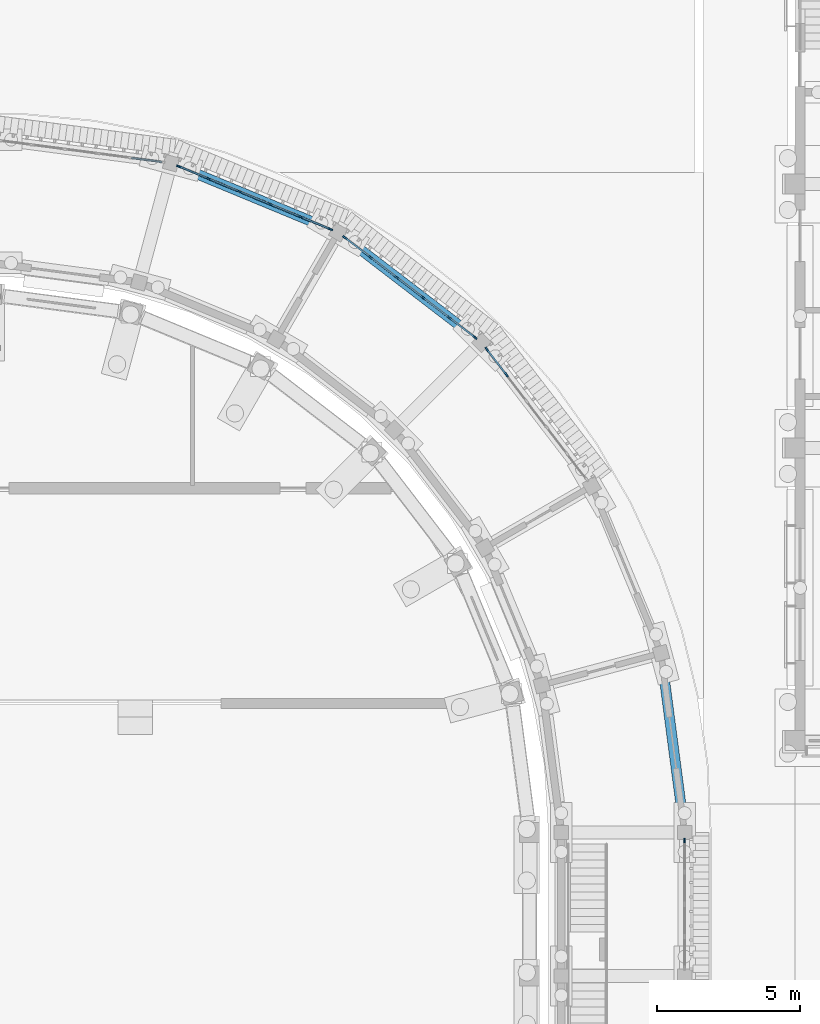
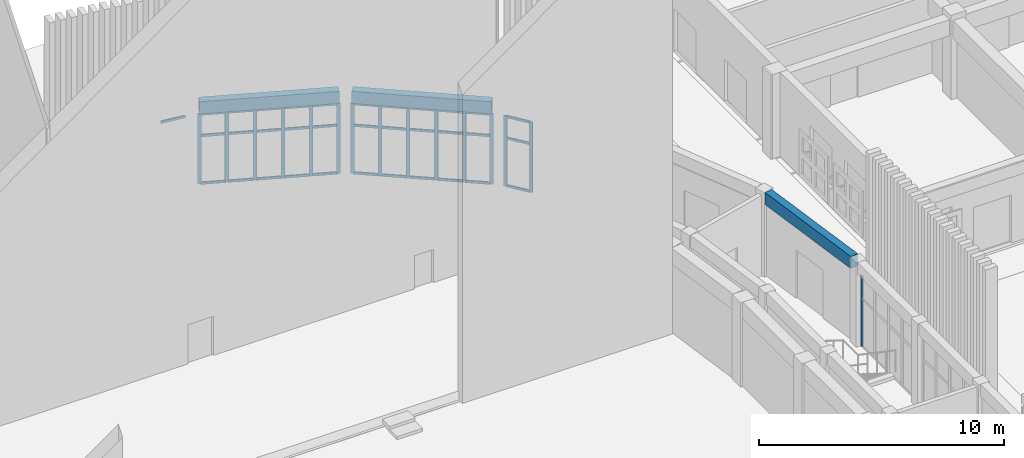
# One storey, part 34 of 112: 49 members, 3 beams, 5 elements without a shape of their own.
"""IFC4 building model written with IfcOpenShell, lengths in metres."""

from ifc_helpers import new_model, si_unit, direction, frame, origin, origin_2d, place, context, subcontext, project, spatial, rectangle, extrude, material, layer, layer_set, material_profile, profile_set, type_object, element, aggregate, save


model = new_model("IFC4")

# Units and contexts
model_context = context("Model", 3, precision=1e-05, world=origin(), true_north=direction((0.0, 1.0)))
body_context = subcontext(model_context, "Body", "Model", "MODEL_VIEW")
ifc_project = project(units=[si_unit("LENGTHUNIT", "METRE"), si_unit("AREAUNIT", "SQUARE_METRE"), si_unit("VOLUMEUNIT", "CUBIC_METRE"), si_unit("PLANEANGLEUNIT", "RADIAN"), si_unit("MASSUNIT", "GRAM", prefix="KILO")], contexts=[model_context])

# Site, building, storey
site_placement = place(None, origin())
site = spatial("IfcSite", under=ifc_project, at=site_placement, CompositionType="ELEMENT")
building_placement = place(site_placement, origin())
building = spatial("IfcBuilding", under=site, at=building_placement, Name="Wasatch Bagh Community Centre", CompositionType="ELEMENT")
storey_placement = place(building_placement, origin())
storey = spatial("IfcBuildingStorey", under=building, at=storey_placement, Name="L00", CompositionType="ELEMENT", Elevation=0.0)

# Curtain wall, members
ifc_material_1 = material(Name="Aluminium curtain wall frame with low-iron insulated glass", Category="aluminium")
ifc_layer_1 = layer(ifc_material_1, 0.14990234375)
ifc_layer_set_1 = layer_set([ifc_layer_1], Name="Aluminium curtain wall frame with low-iron insulated glass")
curtain_wall_type_1 = type_object("IfcCurtainWallType", Name="Drum curtain wall DR-CW1", PredefinedType="NOTDEFINED", material=ifc_layer_set_1)
curtain_wall_1_placement = place(storey_placement, origin())
curtain_wall_1 = element("IfcCurtainWall", 1, at=curtain_wall_1_placement, inside=storey, type_object=curtain_wall_type_1, Name="Curtain wall DR-CW1 21", PredefinedType="NOTDEFINED")
ifc_material_2 = material(Name="Aluminium curtain wall frame", Category="aluminium")
ifc_material_profile_1 = material_profile(ifc_material_2, rectangle(XDim=0.06005859375, YDim=0.159912109375, at=origin_2d()), Name="Drum mullion DR-CW1")
ifc_profile_set_1 = profile_set([ifc_material_profile_1], Name="Aluminium curtain wall frame")
member_type_1 = type_object("IfcMemberType", Name="Drum mullion DR-CW1", PredefinedType="MULLION", material=ifc_profile_set_1)
member_1_placement = place(storey_placement, frame((53.940185546875, 80.951416015625, 0.0), z_axis=(0.0, 0.0, 1.0), x_axis=(-0.793353340196, -0.608761429133, 0.0)))
member_1 = element("IfcMember", 2, at=member_1_placement, type_object=member_type_1, Name="DR-CW1 mullion 5", PredefinedType="MULLION", context=body_context, shape_type="SweptSolid", body=[
    extrude(rectangle(XDim=0.06005859375, YDim=0.159912109375, at=origin_2d()), origin(), (0.0, 0.0, 1.0), 3.5),
])
member_2_placement = place(storey_placement, frame((53.254638671875, 81.844482421875, 0.0), z_axis=(0.0, 0.0, 1.0), x_axis=(-0.793353340196, -0.608761429133, 0.0)))
member_2 = element("IfcMember", 3, at=member_2_placement, type_object=member_type_1, Name="DR-CW1 mullion 6", PredefinedType="MULLION", context=body_context, shape_type="SweptSolid", body=[
    extrude(rectangle(XDim=0.06005859375, YDim=0.159912109375, at=origin_2d()), origin(), (0.0, 0.0, 1.0), 3.5),
])

curtain_wall_2_placement = place(storey_placement, origin())
curtain_wall_2 = element("IfcCurtainWall", 4, at=curtain_wall_2_placement, inside=storey, type_object=curtain_wall_type_1, Name="Curtain wall DR-CW1 22", PredefinedType="NOTDEFINED")
member_3_placement = place(storey_placement, frame((52.844482421875, 82.254638671875, 0.0), z_axis=(0.0, 0.0, 1.0), x_axis=(-0.608761429133, -0.793353340196, 0.0)))
member_3 = element("IfcMember", 5, at=member_3_placement, type_object=member_type_1, Name="DR-CW1 mullion 1", PredefinedType="MULLION", context=body_context, shape_type="SweptSolid", body=[
    extrude(rectangle(XDim=0.06005859375, YDim=0.159912109375, at=origin_2d()), origin(), (0.0, 0.0, 1.0), 3.5),
])
member_4_placement = place(storey_placement, frame((51.951416015625, 82.940185546875, 0.0), z_axis=(0.0, 0.0, 1.0), x_axis=(-0.608761429133, -0.793353340196, 0.0)))
member_4 = element("IfcMember", 6, at=member_4_placement, type_object=member_type_1, Name="DR-CW1 mullion 2", PredefinedType="MULLION", context=body_context, shape_type="SweptSolid", body=[
    extrude(rectangle(XDim=0.06005859375, YDim=0.159912109375, at=origin_2d()), origin(), (0.0, 0.0, 1.0), 3.5),
])
member_5_placement = place(storey_placement, frame((51.034423828125, 83.643798828125, 0.0), z_axis=(0.0, 0.0, 1.0), x_axis=(-0.608761429133, -0.793353340196, 0.0)))
member_5 = element("IfcMember", 7, at=member_5_placement, type_object=member_type_1, Name="DR-CW1 mullion 3", PredefinedType="MULLION", context=body_context, shape_type="SweptSolid", body=[
    extrude(rectangle(XDim=0.06005859375, YDim=0.159912109375, at=origin_2d()), origin(), (0.0, 0.0, 1.0), 3.5),
])
member_6_placement = place(storey_placement, frame((50.1171875, 84.347412109375, 0.0), z_axis=(0.0, 0.0, 1.0), x_axis=(-0.608761429133, -0.793353340196, 0.0)))
member_6 = element("IfcMember", 8, at=member_6_placement, type_object=member_type_1, Name="DR-CW1 mullion 4", PredefinedType="MULLION", context=body_context, shape_type="SweptSolid", body=[
    extrude(rectangle(XDim=0.06005859375, YDim=0.159912109375, at=origin_2d()), origin(), (0.0, 0.0, 1.0), 3.5),
])
member_7_placement = place(storey_placement, frame((49.2001953125, 85.051025390625, 0.0), z_axis=(0.0, 0.0, 1.0), x_axis=(-0.608761429133, -0.793353340196, 0.0)))
member_7 = element("IfcMember", 9, at=member_7_placement, type_object=member_type_1, Name="DR-CW1 mullion 5", PredefinedType="MULLION", context=body_context, shape_type="SweptSolid", body=[
    extrude(rectangle(XDim=0.06005859375, YDim=0.159912109375, at=origin_2d()), origin(), (0.0, 0.0, 1.0), 3.5),
])
member_8_placement = place(storey_placement, frame((48.30712890625, 85.736328125, 0.0), z_axis=(0.0, 0.0, 1.0), x_axis=(-0.608761429133, -0.793353340196, 0.0)))
member_8 = element("IfcMember", 10, at=member_8_placement, type_object=member_type_1, Name="DR-CW1 mullion 6", PredefinedType="MULLION", context=body_context, shape_type="SweptSolid", body=[
    extrude(rectangle(XDim=0.06005859375, YDim=0.159912109375, at=origin_2d()), origin(), (0.0, 0.0, 1.0), 3.5),
])

curtain_wall_3_placement = place(storey_placement, origin())
curtain_wall_3 = element("IfcCurtainWall", 11, at=curtain_wall_3_placement, inside=storey, type_object=curtain_wall_type_1, Name="Curtain wall DR-CW1 23", PredefinedType="NOTDEFINED")
member_9_placement = place(storey_placement, frame((47.8046875, 86.0263671875, 0.0), z_axis=(0.0, 0.0, 1.0), x_axis=(-0.38268343251, -0.923879532451, 0.0)))
member_9 = element("IfcMember", 12, at=member_9_placement, type_object=member_type_1, Name="DR-CW1 mullion 1", PredefinedType="MULLION", context=body_context, shape_type="SweptSolid", body=[
    extrude(rectangle(XDim=0.06005859375, YDim=0.159912109375, at=origin_2d()), origin(), (0.0, 0.0, 1.0), 3.5),
])
member_10_placement = place(storey_placement, frame((46.7646484375, 86.457275390625, 0.0), z_axis=(0.0, 0.0, 1.0), x_axis=(-0.38268343251, -0.923879532451, 0.0)))
member_10 = element("IfcMember", 13, at=member_10_placement, type_object=member_type_1, Name="DR-CW1 mullion 2", PredefinedType="MULLION", context=body_context, shape_type="SweptSolid", body=[
    extrude(rectangle(XDim=0.06005859375, YDim=0.159912109375, at=origin_2d()), origin(), (0.0, 0.0, 1.0), 3.5),
])
member_11_placement = place(storey_placement, frame((45.69677734375, 86.899658203125, 0.0), z_axis=(0.0, 0.0, 1.0), x_axis=(-0.38268343251, -0.923879532451, 0.0)))
member_11 = element("IfcMember", 14, at=member_11_placement, type_object=member_type_1, Name="DR-CW1 mullion 3", PredefinedType="MULLION", context=body_context, shape_type="SweptSolid", body=[
    extrude(rectangle(XDim=0.06005859375, YDim=0.159912109375, at=origin_2d()), origin(), (0.0, 0.0, 1.0), 3.5),
])
member_12_placement = place(storey_placement, frame((44.62890625, 87.342041015625, 0.0), z_axis=(0.0, 0.0, 1.0), x_axis=(-0.38268343251, -0.923879532451, 0.0)))
member_12 = element("IfcMember", 15, at=member_12_placement, type_object=member_type_1, Name="DR-CW1 mullion 4", PredefinedType="MULLION", context=body_context, shape_type="SweptSolid", body=[
    extrude(rectangle(XDim=0.06005859375, YDim=0.159912109375, at=origin_2d()), origin(), (0.0, 0.0, 1.0), 3.5),
])
member_13_placement = place(storey_placement, frame((43.560791015625, 87.784423828125, 0.0), z_axis=(0.0, 0.0, 1.0), x_axis=(-0.38268343251, -0.923879532451, 0.0)))
member_13 = element("IfcMember", 16, at=member_13_placement, type_object=member_type_1, Name="DR-CW1 mullion 5", PredefinedType="MULLION", context=body_context, shape_type="SweptSolid", body=[
    extrude(rectangle(XDim=0.06005859375, YDim=0.159912109375, at=origin_2d()), origin(), (0.0, 0.0, 1.0), 3.5),
])
member_14_placement = place(storey_placement, frame((42.520751953125, 88.215087890625, 0.0), z_axis=(0.0, 0.0, 1.0), x_axis=(-0.38268343251, -0.923879532451, 0.0)))
member_14 = element("IfcMember", 17, at=member_14_placement, type_object=member_type_1, Name="DR-CW1 mullion 6", PredefinedType="MULLION", context=body_context, shape_type="SweptSolid", body=[
    extrude(rectangle(XDim=0.06005859375, YDim=0.159912109375, at=origin_2d()), origin(), (0.0, 0.0, 1.0), 3.5),
])

# Curtain wall, member
ifc_layer_2 = layer(ifc_material_1, 0.14990234375)
ifc_layer_set_2 = layer_set([ifc_layer_2], Name="Aluminium curtain wall frame with low-iron insulated glass")
curtain_wall_type_2 = type_object("IfcCurtainWallType", Name="Drum curtain wall DR-CW3", PredefinedType="NOTDEFINED", material=ifc_layer_set_2)
curtain_wall_4_placement = place(storey_placement, origin())
curtain_wall_4 = element("IfcCurtainWall", 18, at=curtain_wall_4_placement, inside=storey, type_object=curtain_wall_type_2, Name="Curtain wall DR-CW3 18", PredefinedType="NOTDEFINED")
ifc_material_profile_2 = material_profile(ifc_material_2, rectangle(XDim=0.06005859375, YDim=0.159912109375, at=origin_2d()), Name="Drum mullion DR-CW3")
ifc_profile_set_2 = profile_set([ifc_material_profile_2], Name="Aluminium curtain wall frame")
member_type_2 = type_object("IfcMemberType", Name="Drum mullion DR-CW3", PredefinedType="MULLION", material=ifc_profile_set_2)
member_15_placement = place(storey_placement, frame((60.14990234375, 64.719482421875, 0.0), z_axis=(0.0, 0.0, 1.0), x_axis=(-1.0, 0.0, 0.0)))
member_15 = element("IfcMember", 19, at=member_15_placement, type_object=member_type_2, Name="DR-CW3 mullion 5", PredefinedType="MULLION", context=body_context, shape_type="SweptSolid", body=[
    extrude(rectangle(XDim=0.06005859375, YDim=0.159912109375, at=origin_2d()), origin(), (0.0, 0.0, 1.0), 3.5),
])
aggregate(curtain_wall_4, [member_15])

# Beams
ifc_material_3 = material(Name="Concrete C35", Category="concrete")
ifc_material_profile_3 = material_profile(ifc_material_3, rectangle(XDim=0.35009765625, YDim=0.60009765625, at=origin_2d()), Name="RC 350x600")
ifc_profile_set_3 = profile_set([ifc_material_profile_3], Name="Concrete C35")
beam_type = type_object("IfcBeamType", Name="Drum ring beam RC 350x600", PredefinedType="BEAM", material=ifc_profile_set_3)
for number, where, z_axis, x_axis, name in (
    (20, (60.114013671875, 65.2734375, 3.89990234375), (-0.130540139759, 0.991443025046, 0.0), (-0.991443025046, -0.130540139759, 0.0), "Ring beam 4.2 DO-E7-DO-N1"),
    (21, (52.85791015625, 82.244384765625, 3.89990234375), (-0.793356989288, 0.608756673514, 0.0), (-0.608756673514, -0.793356989288, 0.0), "Ring beam 4.2 DO-N3-DO-N4"),
):
    element("IfcBeam", number, at=place(storey_placement, frame(where, z_axis=z_axis, x_axis=x_axis)), inside=storey, type_object=beam_type, Name=name, PredefinedType="BEAM", context=body_context, shape_type="SweptSolid", body=[
        extrude(rectangle(XDim=0.35009765625, YDim=0.60009765625, at=origin_2d()), origin(), (0.0, 0.0, 1.0), 5.7529296875),
    ])
beam_placement = place(storey_placement, frame((47.8203125, 86.02001953125, 3.89990234375), z_axis=(-0.923877183952, 0.38268910224, 0.0), x_axis=(-0.38268910224, -0.923877183952, 0.0)))
element("IfcBeam", 22, at=beam_placement, inside=storey, type_object=beam_type, Name="Ring beam 4.2 DO-N4-DO-N5", PredefinedType="BEAM", context=body_context, shape_type="SweptSolid", body=[
    extrude(rectangle(XDim=0.35009765625, YDim=0.60009765625, at=origin_2d()), origin(), (0.0, 0.0, 1.0), 5.753173828125),
])

# Member
ifc_material_profile_4 = material_profile(ifc_material_2, rectangle(XDim=0.06005859375, YDim=0.1201171875, at=origin_2d()), Name="Drum transom DR-CW1")
ifc_profile_set_4 = profile_set([ifc_material_profile_4], Name="Aluminium curtain wall frame")
member_type_3 = type_object("IfcMemberType", Name="Drum transom DR-CW1", PredefinedType="USERDEFINED", material=ifc_profile_set_4)
member_16_placement = place(storey_placement, frame((53.921875, 80.97509765625, 0.030029296875), z_axis=(-0.608758447006, 0.793355628453, 0.0), x_axis=(-0.793355628453, -0.608758447006, 0.0)))
member_16 = element("IfcMember", 23, at=member_16_placement, type_object=member_type_3, Name="DR-CW1 transom 5.1", ObjectType="TRANSOM", PredefinedType="USERDEFINED", context=body_context, shape_type="SweptSolid", body=[
    extrude(rectangle(XDim=0.06005859375, YDim=0.1201171875, at=origin_2d()), origin(), (0.0, 0.0, 1.0), 1.06591796875),
])

member_17_placement = place(storey_placement, frame((53.921875, 80.97509765625, 2.39990234375), z_axis=(-0.608758447006, 0.793355628453, 0.0), x_axis=(-0.793355628453, -0.608758447006, 0.0)))
member_17 = element("IfcMember", 24, at=member_17_placement, type_object=member_type_3, Name="DR-CW1 transom 5.2", ObjectType="TRANSOM", PredefinedType="USERDEFINED", context=body_context, shape_type="SweptSolid", body=[
    extrude(rectangle(XDim=0.06005859375, YDim=0.1201171875, at=origin_2d()), origin(), (0.0, 0.0, 1.0), 1.06591796875),
])

member_18_placement = place(storey_placement, frame((53.921875, 80.97509765625, 3.469970703125), z_axis=(-0.608758447006, 0.793355628453, 0.0), x_axis=(-0.793355628453, -0.608758447006, 0.0)))
member_18 = element("IfcMember", 25, at=member_18_placement, type_object=member_type_3, Name="DR-CW1 transom 5.3", ObjectType="TRANSOM", PredefinedType="USERDEFINED", context=body_context, shape_type="SweptSolid", body=[
    extrude(rectangle(XDim=0.06005859375, YDim=0.1201171875, at=origin_2d()), origin(), (0.0, 0.0, 1.0), 1.06591796875),
])

aggregate(curtain_wall_1, [member_1, member_2, member_16, member_17, member_18])

member_19_placement = place(storey_placement, frame((52.82080078125, 82.27294921875, 0.030029296875), z_axis=(-0.793355628453, 0.608758447006, 0.0), x_axis=(-0.608758447006, -0.793355628453, 0.0)))
member_19 = element("IfcMember", 26, at=member_19_placement, type_object=member_type_3, Name="DR-CW1 transom 1.1", ObjectType="TRANSOM", PredefinedType="USERDEFINED", context=body_context, shape_type="SweptSolid", body=[
    extrude(rectangle(XDim=0.06005859375, YDim=0.1201171875, at=origin_2d()), origin(), (0.0, 0.0, 1.0), 1.06591796875),
])

member_20_placement = place(storey_placement, frame((52.82080078125, 82.27294921875, 2.39990234375), z_axis=(-0.793355628453, 0.608758447006, 0.0), x_axis=(-0.608758447006, -0.793355628453, 0.0)))
member_20 = element("IfcMember", 27, at=member_20_placement, type_object=member_type_3, Name="DR-CW1 transom 1.2", ObjectType="TRANSOM", PredefinedType="USERDEFINED", context=body_context, shape_type="SweptSolid", body=[
    extrude(rectangle(XDim=0.06005859375, YDim=0.1201171875, at=origin_2d()), origin(), (0.0, 0.0, 1.0), 1.06591796875),
])

member_21_placement = place(storey_placement, frame((52.82080078125, 82.27294921875, 3.469970703125), z_axis=(-0.793355628453, 0.608758447006, 0.0), x_axis=(-0.608758447006, -0.793355628453, 0.0)))
member_21 = element("IfcMember", 28, at=member_21_placement, type_object=member_type_3, Name="DR-CW1 transom 1.3", ObjectType="TRANSOM", PredefinedType="USERDEFINED", context=body_context, shape_type="SweptSolid", body=[
    extrude(rectangle(XDim=0.06005859375, YDim=0.1201171875, at=origin_2d()), origin(), (0.0, 0.0, 1.0), 1.06591796875),
])

member_22_placement = place(storey_placement, frame((51.927490234375, 82.958251953125, 0.030029296875), z_axis=(-0.793294312563, 0.608838347721, 0.0), x_axis=(-0.608838347721, -0.793294312563, 0.0)))
member_22 = element("IfcMember", 29, at=member_22_placement, type_object=member_type_3, Name="DR-CW1 transom 2.1", ObjectType="TRANSOM", PredefinedType="USERDEFINED", context=body_context, shape_type="SweptSolid", body=[
    extrude(rectangle(XDim=0.06005859375, YDim=0.1201171875, at=origin_2d()), origin(), (0.0, 0.0, 1.0), 1.095947265625),
])

member_23_placement = place(storey_placement, frame((51.927490234375, 82.958251953125, 2.39990234375), z_axis=(-0.793294312563, 0.608838347721, 0.0), x_axis=(-0.608838347721, -0.793294312563, 0.0)))
member_23 = element("IfcMember", 30, at=member_23_placement, type_object=member_type_3, Name="DR-CW1 transom 2.2", ObjectType="TRANSOM", PredefinedType="USERDEFINED", context=body_context, shape_type="SweptSolid", body=[
    extrude(rectangle(XDim=0.06005859375, YDim=0.1201171875, at=origin_2d()), origin(), (0.0, 0.0, 1.0), 1.095947265625),
])

member_24_placement = place(storey_placement, frame((51.927490234375, 82.958251953125, 3.469970703125), z_axis=(-0.793294312563, 0.608838347721, 0.0), x_axis=(-0.608838347721, -0.793294312563, 0.0)))
member_24 = element("IfcMember", 31, at=member_24_placement, type_object=member_type_3, Name="DR-CW1 transom 2.3", ObjectType="TRANSOM", PredefinedType="USERDEFINED", context=body_context, shape_type="SweptSolid", body=[
    extrude(rectangle(XDim=0.06005859375, YDim=0.1201171875, at=origin_2d()), origin(), (0.0, 0.0, 1.0), 1.095947265625),
])

member_25_placement = place(storey_placement, frame((51.010498046875, 83.662109375, 0.030029296875), z_axis=(-0.793401911405, 0.608698124672, 0.0), x_axis=(-0.608698124672, -0.793401911405, 0.0)))
member_25 = element("IfcMember", 32, at=member_25_placement, type_object=member_type_3, Name="DR-CW1 transom 3.1", ObjectType="TRANSOM", PredefinedType="USERDEFINED", context=body_context, shape_type="SweptSolid", body=[
    extrude(rectangle(XDim=0.06005859375, YDim=0.1201171875, at=origin_2d()), origin(), (0.0, 0.0, 1.0), 1.095703125),
])

member_26_placement = place(storey_placement, frame((51.010498046875, 83.662109375, 2.39990234375), z_axis=(-0.793401911405, 0.608698124672, 0.0), x_axis=(-0.608698124672, -0.793401911405, 0.0)))
member_26 = element("IfcMember", 33, at=member_26_placement, type_object=member_type_3, Name="DR-CW1 transom 3.2", ObjectType="TRANSOM", PredefinedType="USERDEFINED", context=body_context, shape_type="SweptSolid", body=[
    extrude(rectangle(XDim=0.06005859375, YDim=0.1201171875, at=origin_2d()), origin(), (0.0, 0.0, 1.0), 1.095703125),
])

member_27_placement = place(storey_placement, frame((51.010498046875, 83.662109375, 3.469970703125), z_axis=(-0.793401911405, 0.608698124672, 0.0), x_axis=(-0.608698124672, -0.793401911405, 0.0)))
member_27 = element("IfcMember", 34, at=member_27_placement, type_object=member_type_3, Name="DR-CW1 transom 3.3", ObjectType="TRANSOM", PredefinedType="USERDEFINED", context=body_context, shape_type="SweptSolid", body=[
    extrude(rectangle(XDim=0.06005859375, YDim=0.1201171875, at=origin_2d()), origin(), (0.0, 0.0, 1.0), 1.095703125),
])

member_28_placement = place(storey_placement, frame((50.093505859375, 84.36572265625, 0.030029296875), z_axis=(-0.793401911405, 0.608698124672, 0.0), x_axis=(-0.608698124672, -0.793401911405, 0.0)))
member_28 = element("IfcMember", 35, at=member_28_placement, type_object=member_type_3, Name="DR-CW1 transom 4.1", ObjectType="TRANSOM", PredefinedType="USERDEFINED", context=body_context, shape_type="SweptSolid", body=[
    extrude(rectangle(XDim=0.06005859375, YDim=0.1201171875, at=origin_2d()), origin(), (0.0, 0.0, 1.0), 1.095703125),
])

member_29_placement = place(storey_placement, frame((50.093505859375, 84.36572265625, 2.39990234375), z_axis=(-0.793401911405, 0.608698124672, 0.0), x_axis=(-0.608698124672, -0.793401911405, 0.0)))
member_29 = element("IfcMember", 36, at=member_29_placement, type_object=member_type_3, Name="DR-CW1 transom 4.2", ObjectType="TRANSOM", PredefinedType="USERDEFINED", context=body_context, shape_type="SweptSolid", body=[
    extrude(rectangle(XDim=0.06005859375, YDim=0.1201171875, at=origin_2d()), origin(), (0.0, 0.0, 1.0), 1.095703125),
])

member_30_placement = place(storey_placement, frame((50.093505859375, 84.36572265625, 3.469970703125), z_axis=(-0.793401911405, 0.608698124672, 0.0), x_axis=(-0.608698124672, -0.793401911405, 0.0)))
member_30 = element("IfcMember", 37, at=member_30_placement, type_object=member_type_3, Name="DR-CW1 transom 4.3", ObjectType="TRANSOM", PredefinedType="USERDEFINED", context=body_context, shape_type="SweptSolid", body=[
    extrude(rectangle(XDim=0.06005859375, YDim=0.1201171875, at=origin_2d()), origin(), (0.0, 0.0, 1.0), 1.095703125),
])

member_31_placement = place(storey_placement, frame((49.176513671875, 85.0693359375, 0.030029296875), z_axis=(-0.793355628453, 0.608758447006, 0.0), x_axis=(-0.608758447006, -0.793355628453, 0.0)))
member_31 = element("IfcMember", 38, at=member_31_placement, type_object=member_type_3, Name="DR-CW1 transom 5.1", ObjectType="TRANSOM", PredefinedType="USERDEFINED", context=body_context, shape_type="SweptSolid", body=[
    extrude(rectangle(XDim=0.06005859375, YDim=0.1201171875, at=origin_2d()), origin(), (0.0, 0.0, 1.0), 1.06591796875),
])

member_32_placement = place(storey_placement, frame((49.176513671875, 85.0693359375, 2.39990234375), z_axis=(-0.793355628453, 0.608758447006, 0.0), x_axis=(-0.608758447006, -0.793355628453, 0.0)))
member_32 = element("IfcMember", 39, at=member_32_placement, type_object=member_type_3, Name="DR-CW1 transom 5.2", ObjectType="TRANSOM", PredefinedType="USERDEFINED", context=body_context, shape_type="SweptSolid", body=[
    extrude(rectangle(XDim=0.06005859375, YDim=0.1201171875, at=origin_2d()), origin(), (0.0, 0.0, 1.0), 1.06591796875),
])

member_33_placement = place(storey_placement, frame((49.176513671875, 85.0693359375, 3.469970703125), z_axis=(-0.793355628453, 0.608758447006, 0.0), x_axis=(-0.608758447006, -0.793355628453, 0.0)))
member_33 = element("IfcMember", 40, at=member_33_placement, type_object=member_type_3, Name="DR-CW1 transom 5.3", ObjectType="TRANSOM", PredefinedType="USERDEFINED", context=body_context, shape_type="SweptSolid", body=[
    extrude(rectangle(XDim=0.06005859375, YDim=0.1201171875, at=origin_2d()), origin(), (0.0, 0.0, 1.0), 1.06591796875),
])

aggregate(curtain_wall_2, [member_3, member_4, member_5, member_6, member_7, member_8, member_19, member_20, member_21, member_22, member_23, member_24, member_25, member_26, member_27, member_28, member_29, member_30, member_31, member_32, member_33])

member_34_placement = place(storey_placement, frame((47.777099609375, 86.037841796875, 0.030029296875), z_axis=(-0.923874472572, 0.38269564791, 0.0), x_axis=(-0.38269564791, -0.923874472572, 0.0)))
member_34 = element("IfcMember", 41, at=member_34_placement, type_object=member_type_3, Name="DR-CW1 transom 1.1", ObjectType="TRANSOM", PredefinedType="USERDEFINED", context=body_context, shape_type="SweptSolid", body=[
    extrude(rectangle(XDim=0.06005859375, YDim=0.1201171875, at=origin_2d()), origin(), (0.0, 0.0, 1.0), 1.06591796875),
])

member_35_placement = place(storey_placement, frame((47.777099609375, 86.037841796875, 2.39990234375), z_axis=(-0.923874472572, 0.38269564791, 0.0), x_axis=(-0.38269564791, -0.923874472572, 0.0)))
member_35 = element("IfcMember", 42, at=member_35_placement, type_object=member_type_3, Name="DR-CW1 transom 1.2", ObjectType="TRANSOM", PredefinedType="USERDEFINED", context=body_context, shape_type="SweptSolid", body=[
    extrude(rectangle(XDim=0.06005859375, YDim=0.1201171875, at=origin_2d()), origin(), (0.0, 0.0, 1.0), 1.06591796875),
])

member_36_placement = place(storey_placement, frame((47.777099609375, 86.037841796875, 3.469970703125), z_axis=(-0.923874472572, 0.38269564791, 0.0), x_axis=(-0.38269564791, -0.923874472572, 0.0)))
member_36 = element("IfcMember", 43, at=member_36_placement, type_object=member_type_3, Name="DR-CW1 transom 1.3", ObjectType="TRANSOM", PredefinedType="USERDEFINED", context=body_context, shape_type="SweptSolid", body=[
    extrude(rectangle(XDim=0.06005859375, YDim=0.1201171875, at=origin_2d()), origin(), (0.0, 0.0, 1.0), 1.06591796875),
])

member_37_placement = place(storey_placement, frame((46.73681640625, 86.46875, 0.030029296875), z_axis=(-0.923859339579, 0.382732178779, 0.0), x_axis=(-0.382732178779, -0.923859339579, 0.0)))
member_37 = element("IfcMember", 44, at=member_37_placement, type_object=member_type_3, Name="DR-CW1 transom 2.1", ObjectType="TRANSOM", PredefinedType="USERDEFINED", context=body_context, shape_type="SweptSolid", body=[
    extrude(rectangle(XDim=0.06005859375, YDim=0.1201171875, at=origin_2d()), origin(), (0.0, 0.0, 1.0), 1.095947265625),
])

member_38_placement = place(storey_placement, frame((46.73681640625, 86.46875, 2.39990234375), z_axis=(-0.923859339579, 0.382732178779, 0.0), x_axis=(-0.382732178779, -0.923859339579, 0.0)))
member_38 = element("IfcMember", 45, at=member_38_placement, type_object=member_type_3, Name="DR-CW1 transom 2.2", ObjectType="TRANSOM", PredefinedType="USERDEFINED", context=body_context, shape_type="SweptSolid", body=[
    extrude(rectangle(XDim=0.06005859375, YDim=0.1201171875, at=origin_2d()), origin(), (0.0, 0.0, 1.0), 1.095947265625),
])

member_39_placement = place(storey_placement, frame((46.73681640625, 86.46875, 3.469970703125), z_axis=(-0.923859339579, 0.382732178779, 0.0), x_axis=(-0.382732178779, -0.923859339579, 0.0)))
member_39 = element("IfcMember", 46, at=member_39_placement, type_object=member_type_3, Name="DR-CW1 transom 2.3", ObjectType="TRANSOM", PredefinedType="USERDEFINED", context=body_context, shape_type="SweptSolid", body=[
    extrude(rectangle(XDim=0.06005859375, YDim=0.1201171875, at=origin_2d()), origin(), (0.0, 0.0, 1.0), 1.095947265625),
])

member_40_placement = place(storey_placement, frame((45.6689453125, 86.9111328125, 0.030029296875), z_axis=(-0.923859339579, 0.382732178779, 0.0), x_axis=(-0.382732178779, -0.923859339579, 0.0)))
member_40 = element("IfcMember", 47, at=member_40_placement, type_object=member_type_3, Name="DR-CW1 transom 3.1", ObjectType="TRANSOM", PredefinedType="USERDEFINED", context=body_context, shape_type="SweptSolid", body=[
    extrude(rectangle(XDim=0.06005859375, YDim=0.1201171875, at=origin_2d()), origin(), (0.0, 0.0, 1.0), 1.095947265625),
])

member_41_placement = place(storey_placement, frame((45.6689453125, 86.9111328125, 2.39990234375), z_axis=(-0.923859339579, 0.382732178779, 0.0), x_axis=(-0.382732178779, -0.923859339579, 0.0)))
member_41 = element("IfcMember", 48, at=member_41_placement, type_object=member_type_3, Name="DR-CW1 transom 3.2", ObjectType="TRANSOM", PredefinedType="USERDEFINED", context=body_context, shape_type="SweptSolid", body=[
    extrude(rectangle(XDim=0.06005859375, YDim=0.1201171875, at=origin_2d()), origin(), (0.0, 0.0, 1.0), 1.095947265625),
])

member_42_placement = place(storey_placement, frame((45.6689453125, 86.9111328125, 3.469970703125), z_axis=(-0.923859339579, 0.382732178779, 0.0), x_axis=(-0.382732178779, -0.923859339579, 0.0)))
member_42 = element("IfcMember", 49, at=member_42_placement, type_object=member_type_3, Name="DR-CW1 transom 3.3", ObjectType="TRANSOM", PredefinedType="USERDEFINED", context=body_context, shape_type="SweptSolid", body=[
    extrude(rectangle(XDim=0.06005859375, YDim=0.1201171875, at=origin_2d()), origin(), (0.0, 0.0, 1.0), 1.095947265625),
])

member_43_placement = place(storey_placement, frame((44.60107421875, 87.353515625, 0.030029296875), z_axis=(-0.923859339579, 0.382732178779, 0.0), x_axis=(-0.382732178779, -0.923859339579, 0.0)))
member_43 = element("IfcMember", 50, at=member_43_placement, type_object=member_type_3, Name="DR-CW1 transom 4.1", ObjectType="TRANSOM", PredefinedType="USERDEFINED", context=body_context, shape_type="SweptSolid", body=[
    extrude(rectangle(XDim=0.06005859375, YDim=0.1201171875, at=origin_2d()), origin(), (0.0, 0.0, 1.0), 1.095947265625),
])

member_44_placement = place(storey_placement, frame((44.60107421875, 87.353515625, 2.39990234375), z_axis=(-0.923859339579, 0.382732178779, 0.0), x_axis=(-0.382732178779, -0.923859339579, 0.0)))
member_44 = element("IfcMember", 51, at=member_44_placement, type_object=member_type_3, Name="DR-CW1 transom 4.2", ObjectType="TRANSOM", PredefinedType="USERDEFINED", context=body_context, shape_type="SweptSolid", body=[
    extrude(rectangle(XDim=0.06005859375, YDim=0.1201171875, at=origin_2d()), origin(), (0.0, 0.0, 1.0), 1.095947265625),
])

member_45_placement = place(storey_placement, frame((44.60107421875, 87.353515625, 3.469970703125), z_axis=(-0.923859339579, 0.382732178779, 0.0), x_axis=(-0.382732178779, -0.923859339579, 0.0)))
member_45 = element("IfcMember", 52, at=member_45_placement, type_object=member_type_3, Name="DR-CW1 transom 4.3", ObjectType="TRANSOM", PredefinedType="USERDEFINED", context=body_context, shape_type="SweptSolid", body=[
    extrude(rectangle(XDim=0.06005859375, YDim=0.1201171875, at=origin_2d()), origin(), (0.0, 0.0, 1.0), 1.095947265625),
])

member_46_placement = place(storey_placement, frame((43.533203125, 87.7958984375, 0.030029296875), z_axis=(-0.923955432606, 0.382500141907, 0.0), x_axis=(-0.382500141907, -0.923955432606, 0.0)))
member_46 = element("IfcMember", 53, at=member_46_placement, type_object=member_type_3, Name="DR-CW1 transom 5.1", ObjectType="TRANSOM", PredefinedType="USERDEFINED", context=body_context, shape_type="SweptSolid", body=[
    extrude(rectangle(XDim=0.06005859375, YDim=0.1201171875, at=origin_2d()), origin(), (0.0, 0.0, 1.0), 1.06591796875),
])

member_47_placement = place(storey_placement, frame((43.533203125, 87.7958984375, 2.39990234375), z_axis=(-0.923955432606, 0.382500141907, 0.0), x_axis=(-0.382500141907, -0.923955432606, 0.0)))
member_47 = element("IfcMember", 54, at=member_47_placement, type_object=member_type_3, Name="DR-CW1 transom 5.2", ObjectType="TRANSOM", PredefinedType="USERDEFINED", context=body_context, shape_type="SweptSolid", body=[
    extrude(rectangle(XDim=0.06005859375, YDim=0.1201171875, at=origin_2d()), origin(), (0.0, 0.0, 1.0), 1.06591796875),
])

member_48_placement = place(storey_placement, frame((43.533203125, 87.7958984375, 3.469970703125), z_axis=(-0.923955432606, 0.382500141907, 0.0), x_axis=(-0.382500141907, -0.923955432606, 0.0)))
member_48 = element("IfcMember", 55, at=member_48_placement, type_object=member_type_3, Name="DR-CW1 transom 5.3", ObjectType="TRANSOM", PredefinedType="USERDEFINED", context=body_context, shape_type="SweptSolid", body=[
    extrude(rectangle(XDim=0.06005859375, YDim=0.1201171875, at=origin_2d()), origin(), (0.0, 0.0, 1.0), 1.06591796875),
])

aggregate(curtain_wall_3, [member_9, member_10, member_11, member_12, member_13, member_14, member_34, member_35, member_36, member_37, member_38, member_39, member_40, member_41, member_42, member_43, member_44, member_45, member_46, member_47, member_48])

# Curtain wall, member
curtain_wall_5_placement = place(storey_placement, origin())
curtain_wall_5 = element("IfcCurtainWall", 56, at=curtain_wall_5_placement, inside=storey, type_object=curtain_wall_type_1, Name="Curtain wall DR-CW1 24", PredefinedType="NOTDEFINED")
member_49_placement = place(storey_placement, frame((41.9306640625, 88.369140625, 3.469970703125), z_axis=(-0.991438694485, 0.130573025845, 0.0), x_axis=(-0.130573025845, -0.991438694485, 0.0)))
member_49 = element("IfcMember", 57, at=member_49_placement, type_object=member_type_3, Name="DR-CW1 transom 1.3", ObjectType="TRANSOM", PredefinedType="USERDEFINED", context=body_context, shape_type="SweptSolid", body=[
    extrude(rectangle(XDim=0.06005859375, YDim=0.1201171875, at=origin_2d()), origin(), (0.0, 0.0, 1.0), 1.065673828125),
])
aggregate(curtain_wall_5, [member_49])

save(model, "model.ifc")
